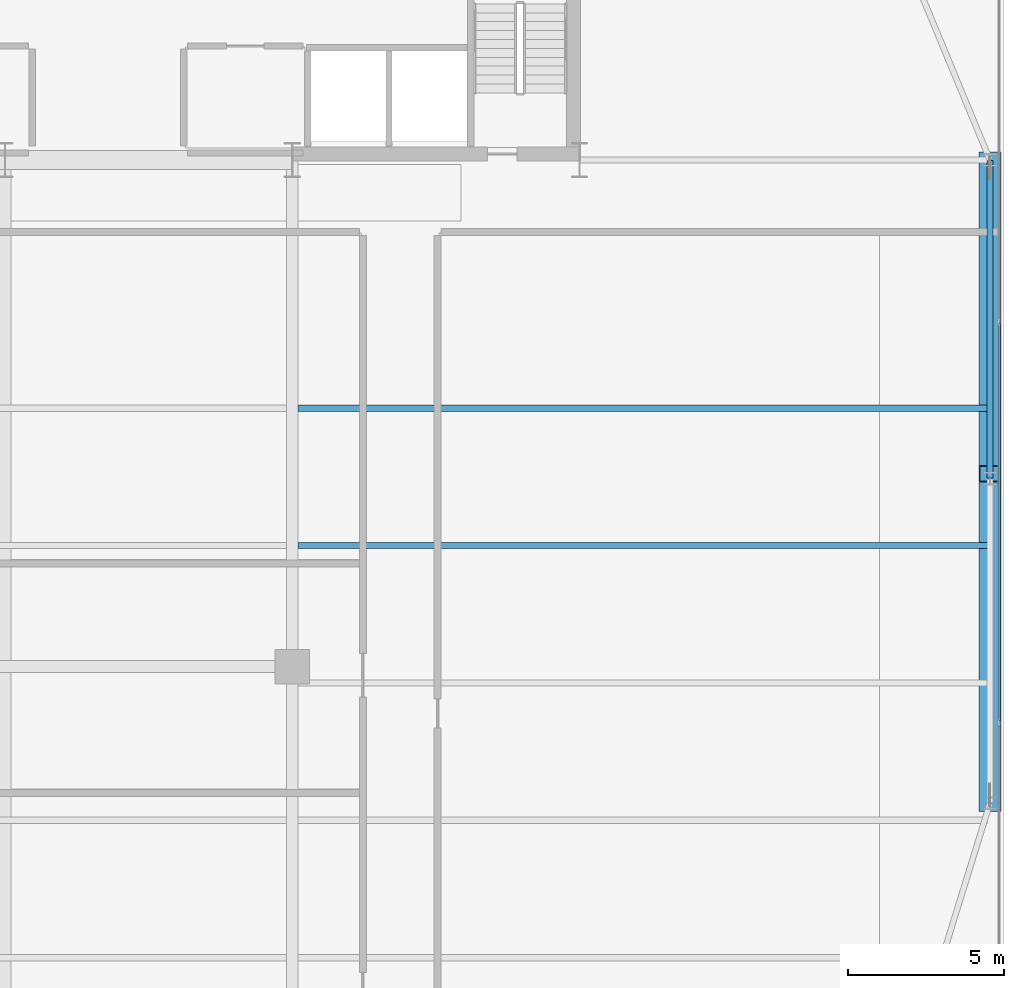
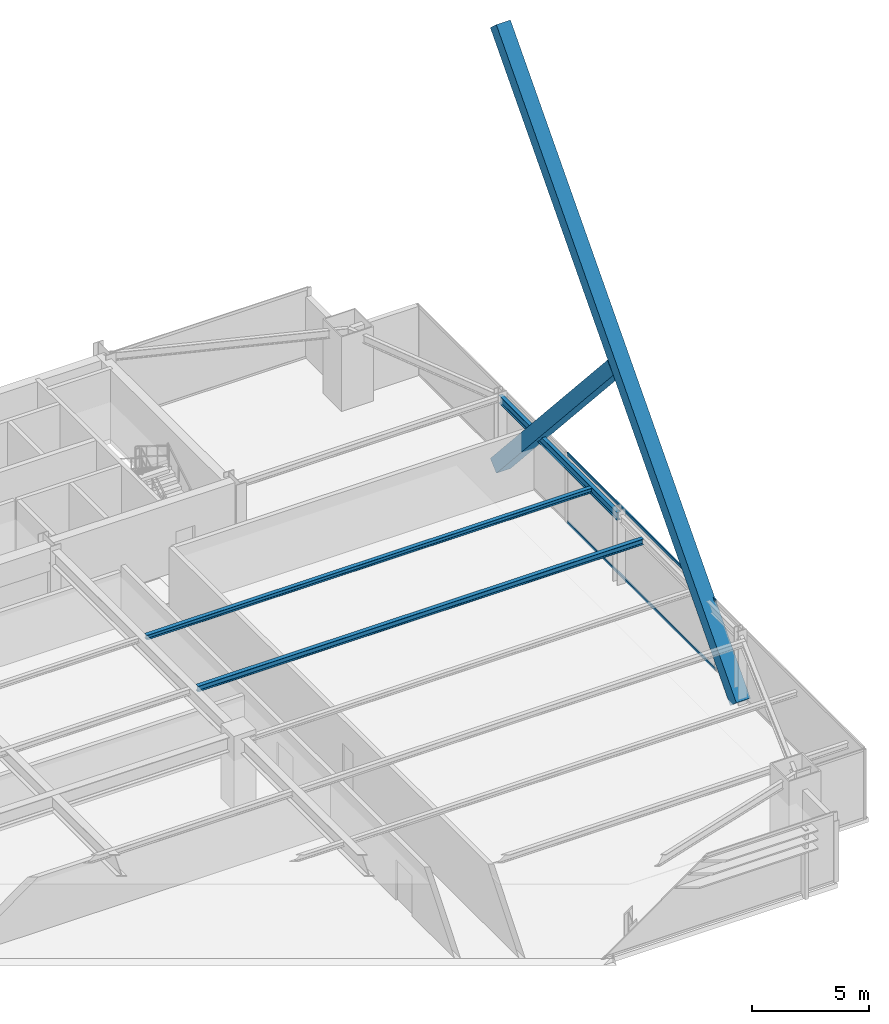
# One storey, part 18 of 32: 4 members, 3 beams, 1 element without a shape of its own.
"""IFC4 building model written with IfcOpenShell, lengths in metres."""

from ifc_helpers import new_model, si_unit, direction, frame, origin, origin_2d, place, context, subcontext, project, spatial, hollow_rectangle, i_section, extrude, source, transform, mapped, material, layer, layer_set, material_profile, profile_set, type_object, type_shapes, element, aggregate, save


model = new_model("IFC4")

# Units and contexts
model_context = context("Model", 3, precision=1e-05, world=origin(), true_north=direction((0.0, 1.0)))
body_context = subcontext(model_context, "Body", "Model", "MODEL_VIEW")
ifc_project = project(units=[si_unit("LENGTHUNIT", "METRE"), si_unit("AREAUNIT", "SQUARE_METRE"), si_unit("VOLUMEUNIT", "CUBIC_METRE"), si_unit("PLANEANGLEUNIT", "RADIAN"), si_unit("MASSUNIT", "GRAM", prefix="KILO")], contexts=[model_context])

# Site, building, storey
site_placement = place(None, origin())
site = spatial("IfcSite", under=ifc_project, at=site_placement, CompositionType="ELEMENT")
building_placement = place(site_placement, origin())
building = spatial("IfcBuilding", under=site, at=building_placement, Name="Varnel Quay Broadcast Tower", CompositionType="ELEMENT")
storey_placement = place(building_placement, frame((0.0, 0.0, 58.800048828125)))
storey = spatial("IfcBuildingStorey", under=building, at=storey_placement, Name="L13", CompositionType="ELEMENT", Elevation=58.800048828125)

# Beams
ifc_material_1 = material(Name="Structural Steel CSA G40.21 350W", Category="steel")
ifc_material_profile_1 = material_profile(ifc_material_1, i_section(OverallWidth=0.180908203125, OverallDepth=0.4169921875, WebThickness=0.010986328125, FlangeThickness=0.018310546875, FilletRadius=0.011962890625, at=origin_2d()), Name="W410X85")
ifc_profile_set_1 = profile_set([ifc_material_profile_1], Name="Structural Steel CSA G40.21 350W")
beam_type_1 = type_object("IfcBeamType", Name="Beam_W410X85", PredefinedType="SPANDREL", material=ifc_profile_set_1)
shared_shape_1 = source(origin(), body_context, "Body", "SweptSolid", [
    extrude(i_section(OverallWidth=0.180908203125, OverallDepth=0.4169921875, WebThickness=0.010986328125, FlangeThickness=0.018310546875, FilletRadius=0.011962890625, at=origin_2d()), origin(), (0.0, 0.0, 1.0), 10.16015625),
])
type_shapes(beam_type_1, [shared_shape_1])
beam_1_placement = place(storey_placement, frame((65.550048828125, 25.419921875, 3.44140625), z_axis=(0.0, 1.0, 0.0), x_axis=(-1.0, 0.0, 0.0)))
element("IfcBeam", 1, at=beam_1_placement, inside=storey, type_object=beam_type_1, Name="L13 East Spandrel TC-E2-TC-E3", PredefinedType="SPANDREL", context=body_context, shape_type="MappedRepresentation", body=[
    mapped(shared_shape_1, transform((0.0, 0.0, 0.0), x_axis=(1.0, 0.0, 0.0), y_axis=(0.0, 1.0, 0.0), z_axis=(0.0, 0.0, 1.0), scale=1.0)),
])
ifc_material_profile_2 = material_profile(ifc_material_1, i_section(OverallWidth=0.202880859375, OverallDepth=0.302978515625, WebThickness=0.007568359375, FlangeThickness=0.01318359375, FilletRadius=0.011962890625, at=origin_2d()), Name="W310X60")
ifc_profile_set_2 = profile_set([ifc_material_profile_2], Name="Structural Steel CSA G40.21 350W")
beam_type_2 = type_object("IfcBeamType", Name="Beam_W310X60", PredefinedType="JOIST", material=ifc_profile_set_2)
shared_shape_2 = source(origin(), body_context, "Body", "SweptSolid", [
    extrude(i_section(OverallWidth=0.202880859375, OverallDepth=0.302978515625, WebThickness=0.007568359375, FlangeThickness=0.01318359375, FilletRadius=0.011962890625, at=origin_2d()), origin(), (0.0, 0.0, 1.0), 22.0791015625),
])
type_shapes(beam_type_2, [shared_shape_2])
beam_2_placement = place(storey_placement, frame((43.385498046875, 23.25, 3.49853515625), z_axis=(1.0, 0.0, 0.0), x_axis=(0.0, 1.0, 0.0)))
element("IfcBeam", 2, at=beam_2_placement, inside=storey, type_object=beam_type_2, Name="L13 East Floor Joist 5", PredefinedType="JOIST", context=body_context, shape_type="MappedRepresentation", body=[
    mapped(shared_shape_2, transform((0.0, 0.0, 0.0), x_axis=(1.0, 0.0, 0.0), y_axis=(0.0, 1.0, 0.0), z_axis=(0.0, 0.0, 1.0), scale=1.0)),
])
ifc_material_profile_3 = material_profile(ifc_material_1, i_section(OverallWidth=0.201904296875, OverallDepth=0.2470703125, WebThickness=0.00732421875, FlangeThickness=0.010986328125, FilletRadius=0.010986328125, at=origin_2d()), Name="W250X49")
ifc_profile_set_3 = profile_set([ifc_material_profile_3], Name="Structural Steel CSA G40.21 350W")
beam_type_3 = type_object("IfcBeamType", Name="Beam_W250X49", PredefinedType="JOIST", material=ifc_profile_set_3)
shared_shape_3 = source(origin(), body_context, "Body", "SweptSolid", [
    extrude(i_section(OverallWidth=0.201904296875, OverallDepth=0.2470703125, WebThickness=0.00732421875, FlangeThickness=0.010986328125, FilletRadius=0.010986328125, at=origin_2d()), origin(), (0.0, 0.0, 1.0), 22.0791015625),
])
type_shapes(beam_type_3, [shared_shape_3])
beam_3_placement = place(storey_placement, frame((43.385498046875, 27.64990234375, 3.5263671875), z_axis=(1.0, 0.0, 0.0), x_axis=(0.0, 1.0, 0.0)))
element("IfcBeam", 3, at=beam_3_placement, inside=storey, type_object=beam_type_3, Name="L13 East Floor Joist 6", PredefinedType="JOIST", context=body_context, shape_type="MappedRepresentation", body=[
    mapped(shared_shape_3, transform((0.0, 0.0, 0.0), x_axis=(1.0, 0.0, 0.0), y_axis=(0.0, 1.0, 0.0), z_axis=(0.0, 0.0, 1.0), scale=1.0)),
])

# Members
ifc_material_2 = material(Name="Structural Steel CSA G40.21 350WT", Category="steel")
ifc_material_profile_4 = material_profile(ifc_material_2, hollow_rectangle(XDim=0.699951171875, YDim=0.699951171875, WallThickness=0.031982421875, at=origin_2d()), Name="BOX700X700X32")
ifc_profile_set_4 = profile_set([ifc_material_profile_4], Name="Structural Steel CSA G40.21 350WT")
member_type_1 = type_object("IfcMemberType", Name="Brace_BOX700X700X32", PredefinedType="BRACE", material=ifc_profile_set_4)
shared_shape_4 = source(origin(), body_context, "Body", "SweptSolid", [
    extrude(hollow_rectangle(XDim=0.699951171875, YDim=0.699951171875, WallThickness=0.031982421875, at=origin_2d()), origin(), (0.0, 0.0, 1.0), 30.906494140625),
])
member_1_placement = place(storey_placement, frame((65.550048828125, 15.0, 0.02001953125), z_axis=(0.0, 0.666531125363, 0.745477202148), x_axis=(-1.0, 0.0, 0.0)))
element("IfcMember", 4, at=member_1_placement, inside=storey, type_object=member_type_1, Name="Zone 1 Mega-Brace E-FT3 Continuous Diag A", PredefinedType="BRACE", context=body_context, shape_type="MappedRepresentation", body=[
    mapped(shared_shape_4, transform((0.0, 0.0, 0.0), x_axis=(1.0, 0.0, 0.0), y_axis=(0.0, 1.0, 0.0), z_axis=(0.0, 0.0, 1.0), scale=1.0)),
])
shared_shape_5 = source(origin(), body_context, "Body", "SweptSolid", [
    extrude(hollow_rectangle(XDim=0.699951171875, YDim=0.699951171875, WallThickness=0.031982421875, at=origin_2d()), origin(), (0.0, 0.0, 1.0), 15.075927734375),
])
type_shapes(member_type_1, [shared_shape_4, shared_shape_5])
member_2_placement = place(storey_placement, frame((65.550048828125, 35.60009765625, 0.02001953125), z_axis=(0.0, -0.666531153591, 0.745477176909), x_axis=(1.0, 0.0, 0.0)))
element("IfcMember", 5, at=member_2_placement, inside=storey, type_object=member_type_1, Name="Zone 1 Mega-Brace E-FT3 Split Diag B1", PredefinedType="BRACE", context=body_context, shape_type="MappedRepresentation", body=[
    mapped(shared_shape_5, transform((0.0, 0.0, 0.0), x_axis=(1.0, 0.0, 0.0), y_axis=(0.0, 1.0, 0.0), z_axis=(0.0, 0.0, 1.0), scale=1.0)),
])

# Curtain wall, members
ifc_material_3 = material(Name="Anodised Bronze Aluminium 6063-T6", Category="aluminium")
ifc_layer = layer(ifc_material_3, 0.18994140625, Name="Anodised Bronze Aluminium 6063-T6")
ifc_layer_set = layer_set([ifc_layer], Name="Anodised Bronze Aluminium 6063-T6")
curtain_wall_type = type_object("IfcCurtainWallType", Name="CW_LowerTower", PredefinedType="NOTDEFINED", material=ifc_layer_set)
curtain_wall_placement = place(storey_placement, origin())
curtain_wall = element("IfcCurtainWall", 6, at=curtain_wall_placement, inside=storey, type_object=curtain_wall_type, Name="L13 East Unitised Curtain Wall", PredefinedType="NOTDEFINED")
ifc_material_profile_5 = material_profile(ifc_material_3, hollow_rectangle(XDim=0.06005859375, YDim=0.14501953125, WallThickness=0.00341796875, at=origin_2d()), Name="ALU60X145X3.5")
ifc_profile_set_5 = profile_set([ifc_material_profile_5], Name="Anodised Bronze Aluminium 6063-T6")
member_type_2 = type_object("IfcMemberType", Name="Tran_CWS-02", PredefinedType="USERDEFINED", material=ifc_profile_set_5)
shared_shape_6 = source(origin(), body_context, "Body", "SweptSolid", [
    extrude(hollow_rectangle(XDim=0.06005859375, YDim=0.14501953125, WallThickness=0.00341796875, at=origin_2d()), origin(), (0.0, 0.0, 1.0), 12.72998046875),
])
type_shapes(member_type_2, [shared_shape_6])
member_3_placement = place(storey_placement, frame((65.85009765625, 17.635009765625, 0.030029296875), z_axis=(0.0, 1.0, 0.0), x_axis=(-1.0, 0.0, 0.0)))
member_3 = element("IfcMember", 7, at=member_3_placement, type_object=member_type_2, Name="CWS-02 transom 2.1", ObjectType="TRANSOM", PredefinedType="USERDEFINED", context=body_context, shape_type="MappedRepresentation", body=[
    mapped(shared_shape_6, transform((0.0, 0.0, 0.0), x_axis=(1.0, 0.0, 0.0), y_axis=(0.0, 1.0, 0.0), z_axis=(0.0, 0.0, 1.0), scale=1.0)),
])
member_4_placement = place(storey_placement, frame((65.85009765625, 17.635009765625, 3.619873046875), z_axis=(0.0, 1.0, 0.0), x_axis=(-1.0, 0.0, 0.0)))
member_4 = element("IfcMember", 8, at=member_4_placement, type_object=member_type_2, Name="CWS-02 transom 2.2", ObjectType="TRANSOM", PredefinedType="USERDEFINED", context=body_context, shape_type="MappedRepresentation", body=[
    mapped(shared_shape_6, transform((0.0, 0.0, 0.0), x_axis=(1.0, 0.0, 0.0), y_axis=(0.0, 1.0, 0.0), z_axis=(0.0, 0.0, 1.0), scale=1.0)),
])
aggregate(curtain_wall, [member_3, member_4])

save(model, "model.ifc")
